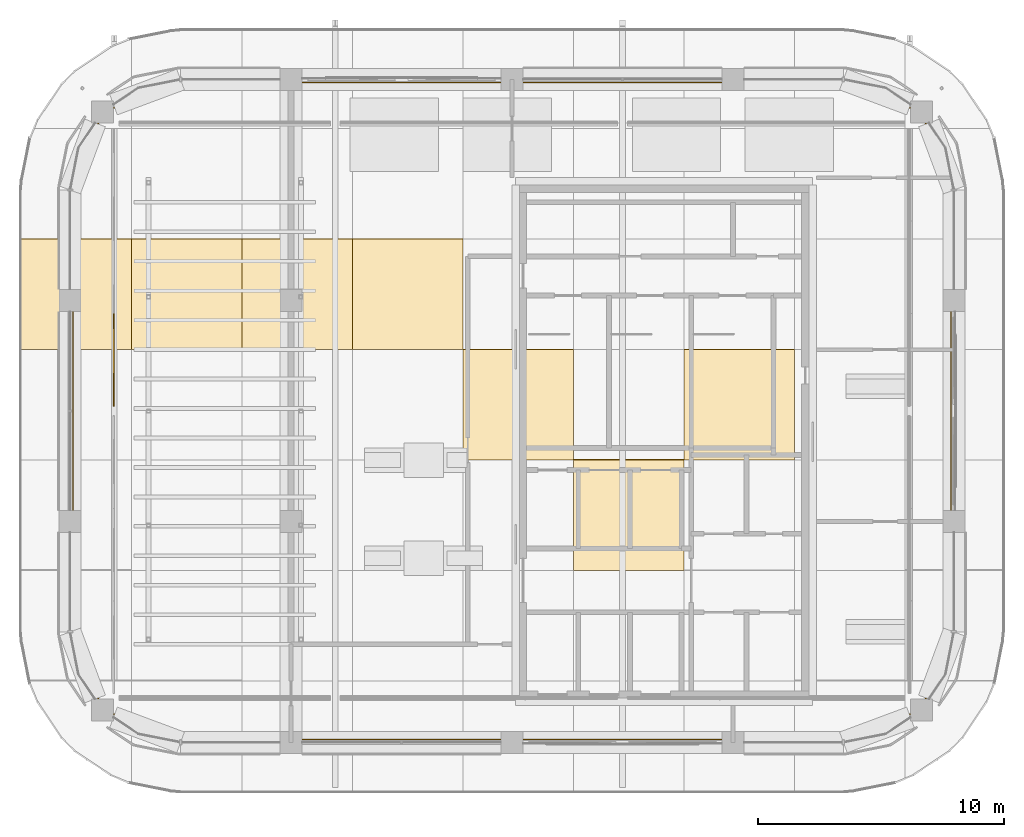
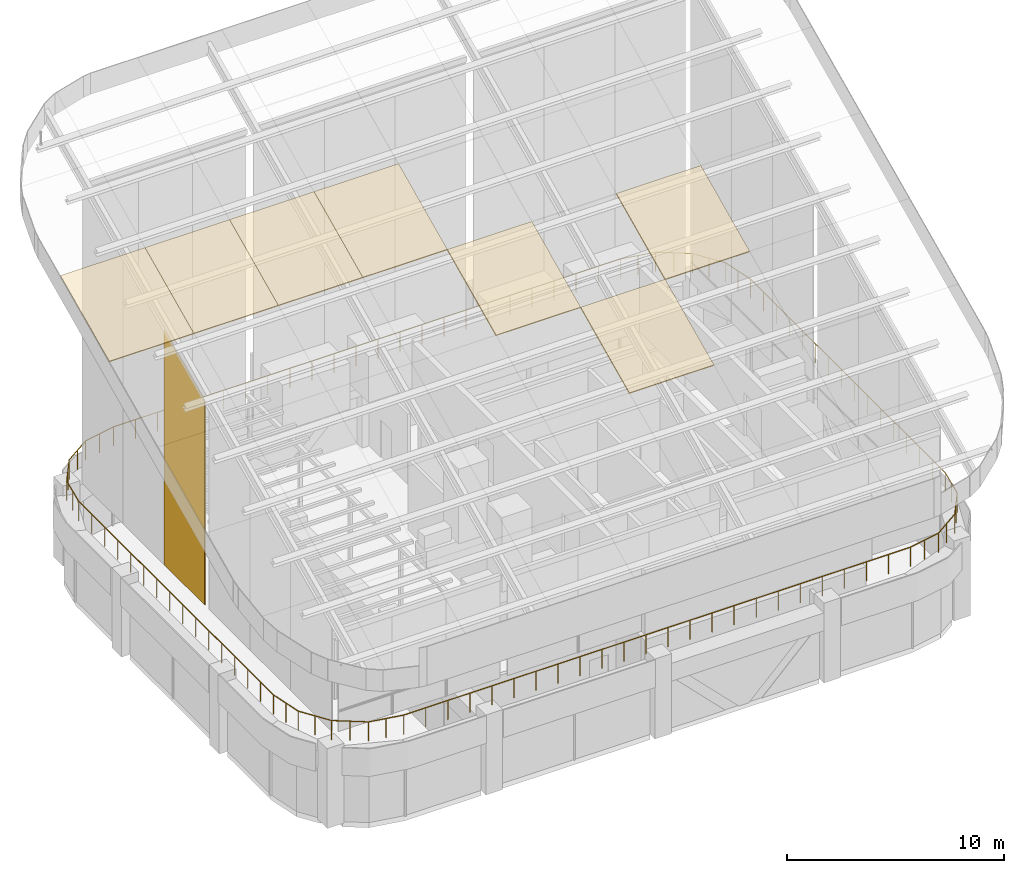
# One storey, part 29 of 31: 8 coverings, 1 railing.
"""IFC4 building model written with IfcOpenShell, lengths in metres."""

from ifc_helpers import new_model, si_unit, direction, frame, origin, origin_2d, place, context, subcontext, project, spatial, polyline, circle, outline, extrude, material, layer, layer_set, type_object, element, save


model = new_model("IFC4")

# Units and contexts
model_context = context("Model", 3, precision=1e-05, world=origin(), true_north=direction((0.0, 1.0)))
body_context = subcontext(model_context, "Body", "Model", "MODEL_VIEW")
ifc_project = project(units=[si_unit("LENGTHUNIT", "METRE"), si_unit("AREAUNIT", "SQUARE_METRE"), si_unit("VOLUMEUNIT", "CUBIC_METRE"), si_unit("PLANEANGLEUNIT", "RADIAN"), si_unit("MASSUNIT", "GRAM", prefix="KILO")], contexts=[model_context])

# Site, building, storey
site_placement = place(None, origin())
site = spatial("IfcSite", under=ifc_project, at=site_placement, CompositionType="ELEMENT")
building_placement = place(site_placement, origin())
building = spatial("IfcBuilding", under=site, at=building_placement, Name="Tessera Arch", CompositionType="ELEMENT")
storey_placement = place(building_placement, frame((0.0, 0.0, 320.699951171875)))
storey = spatial("IfcBuildingStorey", under=building, at=storey_placement, Name="L77", CompositionType="ELEMENT", Elevation=320.699951171875)

# Coverings
ifc_material_1 = material(Name="Aluminium cladding pale metal anodised", Category="aluminium")
ifc_layer_1 = layer(ifc_material_1, 0.080078125)
ifc_layer_set_1 = layer_set([ifc_layer_1], Name="Canopy panel pale metal")
covering_type_1 = type_object("IfcCoveringType", Name="Canopy panel pale metal", PredefinedType="CLADDING", material=ifc_layer_set_1)
covering_1_placement = place(storey_placement, frame((16.0, 43.0, 18.137939453125), z_axis=(0.0, -0.422618958231, 0.906307462258), x_axis=(1.0, 0.0, 0.0)))
element("IfcCovering", 1, at=covering_1_placement, inside=storey, type_object=covering_type_1, Name="CANOPY panel 1-5", PredefinedType="CLADDING", context=body_context, shape_type="SweptSolid", body=[
    extrude(outline(polyline([(0.0, 0.0), (4.5, 0.0), (4.5, 4.965202414630578), (0.0, 4.965202414630578), (0.0, 0.0)])), origin(), (0.0, 0.0, -1.0), 0.080078125),
])
for number, where, z_axis, x_axis, name in (
    (2, (25.0, 43.0, 18.137939453125), (0.0, -0.422618958231, 0.906307462258), (0.0, 0.906307462258, 0.422618958231), "CANOPY panel 2-5"),
    (3, (29.5, 43.0, 18.137939453125), (0.0, -0.422618958231, 0.906307462258), (0.0, 0.906307462258, 0.422618958231), "CANOPY panel 3-5"),
    (4, (34.0, 43.0, 18.137939453125), (0.0, -0.422618958231, 0.906307462258), (0.0, 0.906307462258, 0.422618958231), "CANOPY panel 4-5"),
    (5, (38.5, 38.5, 16.03955078125), (0.0, -0.422618958231, 0.906307462258), (0.0, 0.906307462258, 0.422618958231), "CANOPY panel 5-4"),
    (6, (43.0, 34.0, 13.941162109375), (0.0, -0.422618958231, 0.906307462258), (0.0, 0.906307462258, 0.422618958231), "CANOPY panel 6-3"),
    (7, (47.5, 38.5, 16.03955078125), (0.0, -0.422618958231, 0.906307462258), (0.0, 0.906307462258, 0.422618958231), "CANOPY panel 7-4"),
):
    element("IfcCovering", number, at=place(storey_placement, frame(where, z_axis=z_axis, x_axis=x_axis)), inside=storey, type_object=covering_type_1, Name=name, PredefinedType="CLADDING", context=body_context, shape_type="SweptSolid", body=[
        extrude(outline(polyline([(0.0, 0.0), (4.965202414630578, 0.0), (4.965202414630578, 4.5), (0.0, 4.5), (0.0, 0.0)])), origin(), (0.0, 0.0, -1.0), 0.080078125),
    ])
ifc_material_2 = material(Name="Aluminium cladding pale metal anodised", Category="aluminium")
ifc_layer_2 = layer(ifc_material_2, 0.050048828125)
ifc_layer_set_2 = layer_set([ifc_layer_2], Name="Crown screen panel pale metal")
covering_type_2 = type_object("IfcCoveringType", Name="Crown screen panel pale metal", PredefinedType="CLADDING", material=ifc_layer_set_2)
covering_2_placement = place(storey_placement, frame((19.800048828125, 40.699951171875, 4.5), z_axis=(1.0, 0.0, 0.0), x_axis=(0.0, 1.0, 0.0)))
element("IfcCovering", 8, at=covering_2_placement, inside=storey, type_object=covering_type_2, Name="CROWN screen W8-1", PredefinedType="CLADDING", context=body_context, shape_type="SweptSolid", body=[
    extrude(outline(polyline([(0.0, 0.0), (3.766845703125, 0.0), (3.766845703125, 13.212646484375), (0.0, 11.456298828125), (0.0, 0.0)])), origin(), (0.0, 0.0, -1.0), 0.050048828125),
])

# Railing
ifc_material_3 = material(Name="Stainless steel and clear glass", Category="steel")
railing_type = type_object("IfcRailingType", Name="Guard 1100", PredefinedType="GUARDRAIL", material=ifc_material_3)
railing_placement = place(storey_placement, frame((53.8798828125, 31.51171875, 4.5)))
element("IfcRailing", 9, at=railing_placement, inside=storey, type_object=railing_type, Name="Guard sky garden 1", PredefinedType="GUARDRAIL", context=body_context, shape_type="SweptSolid", body=[
    extrude(circle(Radius=0.02490234375, at=origin_2d()), frame((0.0, -0.00390625, 1.0751953125), z_axis=(0.0, 1.0, 0.0), x_axis=(-1.0, 0.0, 0.0)), (0.0, 0.0, 1.0), 17.984619140625),
    extrude(circle(Radius=0.02490234375, at=origin_2d()), frame((0.000732421875, 17.97265625, 1.0751953125), z_axis=(-0.195024175165, 0.980798435511, 0.0), x_axis=(-0.980798435511, -0.195024175165, 0.0)), (0.0, 0.0, 1.0), 1.72802734375),
    extrude(circle(Radius=0.02490234375, at=origin_2d()), frame((-0.333251953125, 19.66015625, 1.0751953125), z_axis=(-0.555590476887, 0.831456085426, 0.0), x_axis=(-0.831456085426, -0.555590476887, 0.0)), (0.0, 0.0, 1.0), 1.716064453125),
    extrude(circle(Radius=0.02490234375, at=origin_2d()), frame((-1.281005859375, 21.08154296875, 1.0751953125), z_axis=(-0.831456085426, 0.555590476887, 0.0), x_axis=(-0.555590476887, -0.831456085426, 0.0)), (0.0, 0.0, 1.0), 1.716064453125),
    extrude(circle(Radius=0.02490234375, at=origin_2d()), frame((-2.70068359375, 22.031982421875, 1.0751953125), z_axis=(-0.980798435511, 0.195024175165, 0.0), x_axis=(-0.195024175165, -0.980798435511, 0.0)), (0.0, 0.0, 1.0), 1.72802734375),
    extrude(circle(Radius=0.02490234375, at=origin_2d()), frame((-4.3876953125, 22.3681640625, 1.0751953125), z_axis=(-1.0, 0.0, 0.0), x_axis=(0.0, -1.0, 0.0)), (0.0, 0.0, 1.0), 26.984619140625),
    extrude(circle(Radius=0.02490234375, at=origin_2d()), frame((-31.3642578125, 22.368896484375, 1.0751953125), z_axis=(-0.980798435511, -0.195024175165, 0.0), x_axis=(0.195024175165, -0.980798435511, 0.0)), (0.0, 0.0, 1.0), 1.72802734375),
    extrude(circle(Radius=0.02490234375, at=origin_2d()), frame((-33.0517578125, 22.034912109375, 1.0751953125), z_axis=(-0.831456085426, -0.555590476887, 0.0), x_axis=(0.555590476887, -0.831456085426, 0.0)), (0.0, 0.0, 1.0), 1.716064453125),
    extrude(circle(Radius=0.02490234375, at=origin_2d()), frame((-34.47314453125, 21.087158203125, 1.0751953125), z_axis=(-0.555590476887, -0.831456085426, 0.0), x_axis=(0.831456085426, -0.555590476887, 0.0)), (0.0, 0.0, 1.0), 1.716064453125),
    extrude(circle(Radius=0.02490234375, at=origin_2d()), frame((-35.423583984375, 19.66748046875, 1.0751953125), z_axis=(-0.195024175165, -0.980798435511, 0.0), x_axis=(0.980798435511, -0.195024175165, 0.0)), (0.0, 0.0, 1.0), 1.72802734375),
    extrude(circle(Radius=0.02490234375, at=origin_2d()), frame((-35.759765625, 17.98046875, 1.0751953125), z_axis=(0.0, -1.0, 0.0), x_axis=(1.0, 0.0, 0.0)), (0.0, 0.0, 1.0), 17.984619140625),
    extrude(circle(Radius=0.02490234375, at=origin_2d()), frame((-35.760498046875, 0.00390625, 1.0751953125), z_axis=(0.195024175165, -0.980798435511, 0.0), x_axis=(0.980798435511, 0.195024175165, 0.0)), (0.0, 0.0, 1.0), 1.72802734375),
    extrude(circle(Radius=0.02490234375, at=origin_2d()), frame((-35.426513671875, -1.68359375, 1.0751953125), z_axis=(0.555590476887, -0.831456085426, 0.0), x_axis=(0.831456085426, 0.555590476887, 0.0)), (0.0, 0.0, 1.0), 1.716064453125),
    extrude(circle(Radius=0.02490234375, at=origin_2d()), frame((-34.478759765625, -3.10498046875, 1.0751953125), z_axis=(0.831456085426, -0.555590476887, 0.0), x_axis=(0.555590476887, 0.831456085426, 0.0)), (0.0, 0.0, 1.0), 1.716064453125),
    extrude(circle(Radius=0.02490234375, at=origin_2d()), frame((-33.05908203125, -4.055419921875, 1.0751953125), z_axis=(0.980798435511, -0.195024175165, 0.0), x_axis=(0.195024175165, 0.980798435511, 0.0)), (0.0, 0.0, 1.0), 1.72802734375),
    extrude(circle(Radius=0.02490234375, at=origin_2d()), frame((-31.3720703125, -4.3916015625, 1.0751953125), z_axis=(1.0, 0.0, 0.0), x_axis=(0.0, 1.0, 0.0)), (0.0, 0.0, 1.0), 26.984619140625),
    extrude(circle(Radius=0.02490234375, at=origin_2d()), frame((-4.3955078125, -4.392333984375, 1.0751953125), z_axis=(0.980798435511, 0.195024175165, 0.0), x_axis=(-0.195024175165, 0.980798435511, 0.0)), (0.0, 0.0, 1.0), 1.72802734375),
    extrude(circle(Radius=0.02490234375, at=origin_2d()), frame((-2.7080078125, -4.058349609375, 1.0751953125), z_axis=(0.831456085426, 0.555590476887, 0.0), x_axis=(-0.555590476887, 0.831456085426, 0.0)), (0.0, 0.0, 1.0), 1.716064453125),
    extrude(circle(Radius=0.02490234375, at=origin_2d()), frame((-1.28662109375, -3.110595703125, 1.0751953125), z_axis=(0.555590476887, 0.831456085426, 0.0), x_axis=(-0.831456085426, 0.555590476887, 0.0)), (0.0, 0.0, 1.0), 1.716064453125),
    extrude(circle(Radius=0.02490234375, at=origin_2d()), frame((-0.336181640625, -1.69091796875, 1.0751953125), z_axis=(0.195024175165, 0.980798435511, 0.0), x_axis=(-0.980798435511, 0.195024175165, 0.0)), (0.0, 0.0, 1.0), 1.72802734375),
    extrude(circle(Radius=0.02001953125, at=origin_2d()), origin(), (0.0, 0.0, 1.0), 1.06201171875),
    extrude(circle(Radius=0.02001953125, at=origin_2d()), frame((0.0, 1.198486328125, 0.0)), (0.0, 0.0, 1.0), 1.06201171875),
    extrude(circle(Radius=0.02001953125, at=origin_2d()), frame((0.0, 2.39697265625, 0.0)), (0.0, 0.0, 1.0), 1.06201171875),
    extrude(circle(Radius=0.02001953125, at=origin_2d()), frame((0.0, 3.59521484375, 0.0)), (0.0, 0.0, 1.0), 1.06201171875),
    extrude(circle(Radius=0.02001953125, at=origin_2d()), frame((0.0, 4.793701171875, 0.0)), (0.0, 0.0, 1.0), 1.06201171875),
    extrude(circle(Radius=0.02001953125, at=origin_2d()), frame((0.0, 5.9921875, 0.0)), (0.0, 0.0, 1.0), 1.06201171875),
    extrude(circle(Radius=0.02001953125, at=origin_2d()), frame((0.0, 7.190673828125, 0.0)), (0.0, 0.0, 1.0), 1.06201171875),
    extrude(circle(Radius=0.02001953125, at=origin_2d()), frame((0.0, 8.38916015625, 0.0)), (0.0, 0.0, 1.0), 1.06201171875),
    extrude(circle(Radius=0.02001953125, at=origin_2d()), frame((0.0, 9.58740234375, 0.0)), (0.0, 0.0, 1.0), 1.06201171875),
    extrude(circle(Radius=0.02001953125, at=origin_2d()), frame((0.0, 10.785888671875, 0.0)), (0.0, 0.0, 1.0), 1.06201171875),
    extrude(circle(Radius=0.02001953125, at=origin_2d()), frame((0.0, 11.984375, 0.0)), (0.0, 0.0, 1.0), 1.06201171875),
    extrude(circle(Radius=0.02001953125, at=origin_2d()), frame((0.0, 13.182861328125, 0.0)), (0.0, 0.0, 1.0), 1.06201171875),
    extrude(circle(Radius=0.02001953125, at=origin_2d()), frame((0.0, 14.38134765625, 0.0)), (0.0, 0.0, 1.0), 1.06201171875),
    extrude(circle(Radius=0.02001953125, at=origin_2d()), frame((0.0, 15.57958984375, 0.0)), (0.0, 0.0, 1.0), 1.06201171875),
    extrude(circle(Radius=0.02001953125, at=origin_2d()), frame((0.0, 16.778076171875, 0.0)), (0.0, 0.0, 1.0), 1.06201171875),
    extrude(circle(Radius=0.02001953125, at=origin_2d()), frame((0.0, 17.9765625, 0.0)), (0.0, 0.0, 1.0), 1.06201171875),
    extrude(circle(Radius=0.02001953125, at=origin_2d()), frame((-0.167724609375, 18.820068359375, 0.0)), (0.0, 0.0, 1.0), 1.06201171875),
    extrude(circle(Radius=0.02001953125, at=origin_2d()), frame((-0.33544921875, 19.66357421875, 0.0)), (0.0, 0.0, 1.0), 1.06201171875),
    extrude(circle(Radius=0.02001953125, at=origin_2d()), frame((-0.81005859375, 20.37353515625, 0.0)), (0.0, 0.0, 1.0), 1.06201171875),
    extrude(circle(Radius=0.02001953125, at=origin_2d()), frame((-1.284423828125, 21.083740234375, 0.0)), (0.0, 0.0, 1.0), 1.06201171875),
    extrude(circle(Radius=0.02001953125, at=origin_2d()), frame((-1.99462890625, 21.55810546875, 0.0)), (0.0, 0.0, 1.0), 1.06201171875),
    extrude(circle(Radius=0.02001953125, at=origin_2d()), frame((-2.70458984375, 22.03271484375, 0.0)), (0.0, 0.0, 1.0), 1.06201171875),
    extrude(circle(Radius=0.02001953125, at=origin_2d()), frame((-3.548095703125, 22.200439453125, 0.0)), (0.0, 0.0, 1.0), 1.06201171875),
    extrude(circle(Radius=0.02001953125, at=origin_2d()), frame((-4.3916015625, 22.3681640625, 0.0)), (0.0, 0.0, 1.0), 1.06201171875),
    extrude(circle(Radius=0.02001953125, at=origin_2d()), frame((-5.564453125, 22.3681640625, 0.0)), (0.0, 0.0, 1.0), 1.06201171875),
    extrude(circle(Radius=0.02001953125, at=origin_2d()), frame((-6.7373046875, 22.3681640625, 0.0)), (0.0, 0.0, 1.0), 1.06201171875),
    extrude(circle(Radius=0.02001953125, at=origin_2d()), frame((-7.910400390625, 22.3681640625, 0.0)), (0.0, 0.0, 1.0), 1.06201171875),
    extrude(circle(Radius=0.02001953125, at=origin_2d()), frame((-9.083251953125, 22.3681640625, 0.0)), (0.0, 0.0, 1.0), 1.06201171875),
    extrude(circle(Radius=0.02001953125, at=origin_2d()), frame((-10.256103515625, 22.3681640625, 0.0)), (0.0, 0.0, 1.0), 1.06201171875),
    extrude(circle(Radius=0.02001953125, at=origin_2d()), frame((-11.428955078125, 22.3681640625, 0.0)), (0.0, 0.0, 1.0), 1.06201171875),
    extrude(circle(Radius=0.02001953125, at=origin_2d()), frame((-12.601806640625, 22.3681640625, 0.0)), (0.0, 0.0, 1.0), 1.06201171875),
    extrude(circle(Radius=0.02001953125, at=origin_2d()), frame((-13.774658203125, 22.3681640625, 0.0)), (0.0, 0.0, 1.0), 1.06201171875),
    extrude(circle(Radius=0.02001953125, at=origin_2d()), frame((-14.94775390625, 22.3681640625, 0.0)), (0.0, 0.0, 1.0), 1.06201171875),
    extrude(circle(Radius=0.02001953125, at=origin_2d()), frame((-16.12060546875, 22.3681640625, 0.0)), (0.0, 0.0, 1.0), 1.06201171875),
    extrude(circle(Radius=0.02001953125, at=origin_2d()), frame((-17.29345703125, 22.3681640625, 0.0)), (0.0, 0.0, 1.0), 1.06201171875),
    extrude(circle(Radius=0.02001953125, at=origin_2d()), frame((-18.46630859375, 22.3681640625, 0.0)), (0.0, 0.0, 1.0), 1.06201171875),
    extrude(circle(Radius=0.02001953125, at=origin_2d()), frame((-19.63916015625, 22.3681640625, 0.0)), (0.0, 0.0, 1.0), 1.06201171875),
    extrude(circle(Radius=0.02001953125, at=origin_2d()), frame((-20.81201171875, 22.3681640625, 0.0)), (0.0, 0.0, 1.0), 1.06201171875),
    extrude(circle(Radius=0.02001953125, at=origin_2d()), frame((-21.985107421875, 22.3681640625, 0.0)), (0.0, 0.0, 1.0), 1.06201171875),
    extrude(circle(Radius=0.02001953125, at=origin_2d()), frame((-23.157958984375, 22.3681640625, 0.0)), (0.0, 0.0, 1.0), 1.06201171875),
    extrude(circle(Radius=0.02001953125, at=origin_2d()), frame((-24.330810546875, 22.3681640625, 0.0)), (0.0, 0.0, 1.0), 1.06201171875),
    extrude(circle(Radius=0.02001953125, at=origin_2d()), frame((-25.503662109375, 22.3681640625, 0.0)), (0.0, 0.0, 1.0), 1.06201171875),
    extrude(circle(Radius=0.02001953125, at=origin_2d()), frame((-26.676513671875, 22.3681640625, 0.0)), (0.0, 0.0, 1.0), 1.06201171875),
    extrude(circle(Radius=0.02001953125, at=origin_2d()), frame((-27.849365234375, 22.3681640625, 0.0)), (0.0, 0.0, 1.0), 1.06201171875),
    extrude(circle(Radius=0.02001953125, at=origin_2d()), frame((-29.0224609375, 22.3681640625, 0.0)), (0.0, 0.0, 1.0), 1.06201171875),
    extrude(circle(Radius=0.02001953125, at=origin_2d()), frame((-30.1953125, 22.3681640625, 0.0)), (0.0, 0.0, 1.0), 1.06201171875),
    extrude(circle(Radius=0.02001953125, at=origin_2d()), frame((-31.3681640625, 22.3681640625, 0.0)), (0.0, 0.0, 1.0), 1.06201171875),
    extrude(circle(Radius=0.02001953125, at=origin_2d()), frame((-32.211669921875, 22.200439453125, 0.0)), (0.0, 0.0, 1.0), 1.06201171875),
    extrude(circle(Radius=0.02001953125, at=origin_2d()), frame((-33.05517578125, 22.03271484375, 0.0)), (0.0, 0.0, 1.0), 1.06201171875),
    extrude(circle(Radius=0.02001953125, at=origin_2d()), frame((-33.76513671875, 21.55810546875, 0.0)), (0.0, 0.0, 1.0), 1.06201171875),
    extrude(circle(Radius=0.02001953125, at=origin_2d()), frame((-34.475341796875, 21.083740234375, 0.0)), (0.0, 0.0, 1.0), 1.06201171875),
    extrude(circle(Radius=0.02001953125, at=origin_2d()), frame((-34.94970703125, 20.37353515625, 0.0)), (0.0, 0.0, 1.0), 1.06201171875),
    extrude(circle(Radius=0.02001953125, at=origin_2d()), frame((-35.42431640625, 19.66357421875, 0.0)), (0.0, 0.0, 1.0), 1.06201171875),
    extrude(circle(Radius=0.02001953125, at=origin_2d()), frame((-35.592041015625, 18.820068359375, 0.0)), (0.0, 0.0, 1.0), 1.06201171875),
    extrude(circle(Radius=0.02001953125, at=origin_2d()), frame((-35.759765625, 17.9765625, 0.0)), (0.0, 0.0, 1.0), 1.06201171875),
    extrude(circle(Radius=0.02001953125, at=origin_2d()), frame((-35.759765625, 16.778076171875, 0.0)), (0.0, 0.0, 1.0), 1.06201171875),
    extrude(circle(Radius=0.02001953125, at=origin_2d()), frame((-35.759765625, 15.57958984375, 0.0)), (0.0, 0.0, 1.0), 1.06201171875),
    extrude(circle(Radius=0.02001953125, at=origin_2d()), frame((-35.759765625, 14.38134765625, 0.0)), (0.0, 0.0, 1.0), 1.06201171875),
    extrude(circle(Radius=0.02001953125, at=origin_2d()), frame((-35.759765625, 13.182861328125, 0.0)), (0.0, 0.0, 1.0), 1.06201171875),
    extrude(circle(Radius=0.02001953125, at=origin_2d()), frame((-35.759765625, 11.984375, 0.0)), (0.0, 0.0, 1.0), 1.06201171875),
    extrude(circle(Radius=0.02001953125, at=origin_2d()), frame((-35.759765625, 10.785888671875, 0.0)), (0.0, 0.0, 1.0), 1.06201171875),
    extrude(circle(Radius=0.02001953125, at=origin_2d()), frame((-35.759765625, 9.58740234375, 0.0)), (0.0, 0.0, 1.0), 1.06201171875),
    extrude(circle(Radius=0.02001953125, at=origin_2d()), frame((-35.759765625, 8.38916015625, 0.0)), (0.0, 0.0, 1.0), 1.06201171875),
    extrude(circle(Radius=0.02001953125, at=origin_2d()), frame((-35.759765625, 7.190673828125, 0.0)), (0.0, 0.0, 1.0), 1.06201171875),
    extrude(circle(Radius=0.02001953125, at=origin_2d()), frame((-35.759765625, 5.9921875, 0.0)), (0.0, 0.0, 1.0), 1.06201171875),
    extrude(circle(Radius=0.02001953125, at=origin_2d()), frame((-35.759765625, 4.793701171875, 0.0)), (0.0, 0.0, 1.0), 1.06201171875),
    extrude(circle(Radius=0.02001953125, at=origin_2d()), frame((-35.759765625, 3.59521484375, 0.0)), (0.0, 0.0, 1.0), 1.06201171875),
    extrude(circle(Radius=0.02001953125, at=origin_2d()), frame((-35.759765625, 2.39697265625, 0.0)), (0.0, 0.0, 1.0), 1.06201171875),
    extrude(circle(Radius=0.02001953125, at=origin_2d()), frame((-35.759765625, 1.198486328125, 0.0)), (0.0, 0.0, 1.0), 1.06201171875),
    extrude(circle(Radius=0.02001953125, at=origin_2d()), frame((-35.759765625, 0.0, 0.0)), (0.0, 0.0, 1.0), 1.06201171875),
    extrude(circle(Radius=0.02001953125, at=origin_2d()), frame((-35.592041015625, -0.843505859375, 0.0)), (0.0, 0.0, 1.0), 1.06201171875),
    extrude(circle(Radius=0.02001953125, at=origin_2d()), frame((-35.42431640625, -1.68701171875, 0.0)), (0.0, 0.0, 1.0), 1.06201171875),
    extrude(circle(Radius=0.02001953125, at=origin_2d()), frame((-34.94970703125, -2.39697265625, 0.0)), (0.0, 0.0, 1.0), 1.06201171875),
    extrude(circle(Radius=0.02001953125, at=origin_2d()), frame((-34.475341796875, -3.107177734375, 0.0)), (0.0, 0.0, 1.0), 1.06201171875),
    extrude(circle(Radius=0.02001953125, at=origin_2d()), frame((-33.76513671875, -3.58154296875, 0.0)), (0.0, 0.0, 1.0), 1.06201171875),
    extrude(circle(Radius=0.02001953125, at=origin_2d()), frame((-33.05517578125, -4.05615234375, 0.0)), (0.0, 0.0, 1.0), 1.06201171875),
    extrude(circle(Radius=0.02001953125, at=origin_2d()), frame((-32.211669921875, -4.223876953125, 0.0)), (0.0, 0.0, 1.0), 1.06201171875),
    extrude(circle(Radius=0.02001953125, at=origin_2d()), frame((-31.3681640625, -4.3916015625, 0.0)), (0.0, 0.0, 1.0), 1.06201171875),
    extrude(circle(Radius=0.02001953125, at=origin_2d()), frame((-30.1953125, -4.3916015625, 0.0)), (0.0, 0.0, 1.0), 1.06201171875),
    extrude(circle(Radius=0.02001953125, at=origin_2d()), frame((-29.0224609375, -4.3916015625, 0.0)), (0.0, 0.0, 1.0), 1.06201171875),
    extrude(circle(Radius=0.02001953125, at=origin_2d()), frame((-27.849365234375, -4.3916015625, 0.0)), (0.0, 0.0, 1.0), 1.06201171875),
    extrude(circle(Radius=0.02001953125, at=origin_2d()), frame((-26.676513671875, -4.3916015625, 0.0)), (0.0, 0.0, 1.0), 1.06201171875),
    extrude(circle(Radius=0.02001953125, at=origin_2d()), frame((-25.503662109375, -4.3916015625, 0.0)), (0.0, 0.0, 1.0), 1.06201171875),
    extrude(circle(Radius=0.02001953125, at=origin_2d()), frame((-24.330810546875, -4.3916015625, 0.0)), (0.0, 0.0, 1.0), 1.06201171875),
    extrude(circle(Radius=0.02001953125, at=origin_2d()), frame((-23.157958984375, -4.3916015625, 0.0)), (0.0, 0.0, 1.0), 1.06201171875),
    extrude(circle(Radius=0.02001953125, at=origin_2d()), frame((-21.985107421875, -4.3916015625, 0.0)), (0.0, 0.0, 1.0), 1.06201171875),
    extrude(circle(Radius=0.02001953125, at=origin_2d()), frame((-20.81201171875, -4.3916015625, 0.0)), (0.0, 0.0, 1.0), 1.06201171875),
    extrude(circle(Radius=0.02001953125, at=origin_2d()), frame((-19.63916015625, -4.3916015625, 0.0)), (0.0, 0.0, 1.0), 1.06201171875),
    extrude(circle(Radius=0.02001953125, at=origin_2d()), frame((-18.46630859375, -4.3916015625, 0.0)), (0.0, 0.0, 1.0), 1.06201171875),
    extrude(circle(Radius=0.02001953125, at=origin_2d()), frame((-17.29345703125, -4.3916015625, 0.0)), (0.0, 0.0, 1.0), 1.06201171875),
    extrude(circle(Radius=0.02001953125, at=origin_2d()), frame((-16.12060546875, -4.3916015625, 0.0)), (0.0, 0.0, 1.0), 1.06201171875),
    extrude(circle(Radius=0.02001953125, at=origin_2d()), frame((-14.94775390625, -4.3916015625, 0.0)), (0.0, 0.0, 1.0), 1.06201171875),
    extrude(circle(Radius=0.02001953125, at=origin_2d()), frame((-13.774658203125, -4.3916015625, 0.0)), (0.0, 0.0, 1.0), 1.06201171875),
    extrude(circle(Radius=0.02001953125, at=origin_2d()), frame((-12.601806640625, -4.3916015625, 0.0)), (0.0, 0.0, 1.0), 1.06201171875),
    extrude(circle(Radius=0.02001953125, at=origin_2d()), frame((-11.428955078125, -4.3916015625, 0.0)), (0.0, 0.0, 1.0), 1.06201171875),
    extrude(circle(Radius=0.02001953125, at=origin_2d()), frame((-10.256103515625, -4.3916015625, 0.0)), (0.0, 0.0, 1.0), 1.06201171875),
    extrude(circle(Radius=0.02001953125, at=origin_2d()), frame((-9.083251953125, -4.3916015625, 0.0)), (0.0, 0.0, 1.0), 1.06201171875),
    extrude(circle(Radius=0.02001953125, at=origin_2d()), frame((-7.910400390625, -4.3916015625, 0.0)), (0.0, 0.0, 1.0), 1.06201171875),
    extrude(circle(Radius=0.02001953125, at=origin_2d()), frame((-6.7373046875, -4.3916015625, 0.0)), (0.0, 0.0, 1.0), 1.06201171875),
    extrude(circle(Radius=0.02001953125, at=origin_2d()), frame((-5.564453125, -4.3916015625, 0.0)), (0.0, 0.0, 1.0), 1.06201171875),
    extrude(circle(Radius=0.02001953125, at=origin_2d()), frame((-4.3916015625, -4.3916015625, 0.0)), (0.0, 0.0, 1.0), 1.06201171875),
    extrude(circle(Radius=0.02001953125, at=origin_2d()), frame((-3.548095703125, -4.223876953125, 0.0)), (0.0, 0.0, 1.0), 1.06201171875),
    extrude(circle(Radius=0.02001953125, at=origin_2d()), frame((-2.70458984375, -4.05615234375, 0.0)), (0.0, 0.0, 1.0), 1.06201171875),
    extrude(circle(Radius=0.02001953125, at=origin_2d()), frame((-1.99462890625, -3.58154296875, 0.0)), (0.0, 0.0, 1.0), 1.06201171875),
    extrude(circle(Radius=0.02001953125, at=origin_2d()), frame((-1.284423828125, -3.107177734375, 0.0)), (0.0, 0.0, 1.0), 1.06201171875),
    extrude(circle(Radius=0.02001953125, at=origin_2d()), frame((-0.81005859375, -2.39697265625, 0.0)), (0.0, 0.0, 1.0), 1.06201171875),
    extrude(circle(Radius=0.02001953125, at=origin_2d()), frame((-0.33544921875, -1.68701171875, 0.0)), (0.0, 0.0, 1.0), 1.06201171875),
    extrude(circle(Radius=0.02001953125, at=origin_2d()), frame((-0.167724609375, -0.843505859375, 0.0)), (0.0, 0.0, 1.0), 1.06201171875),
])

save(model, "model.ifc")
